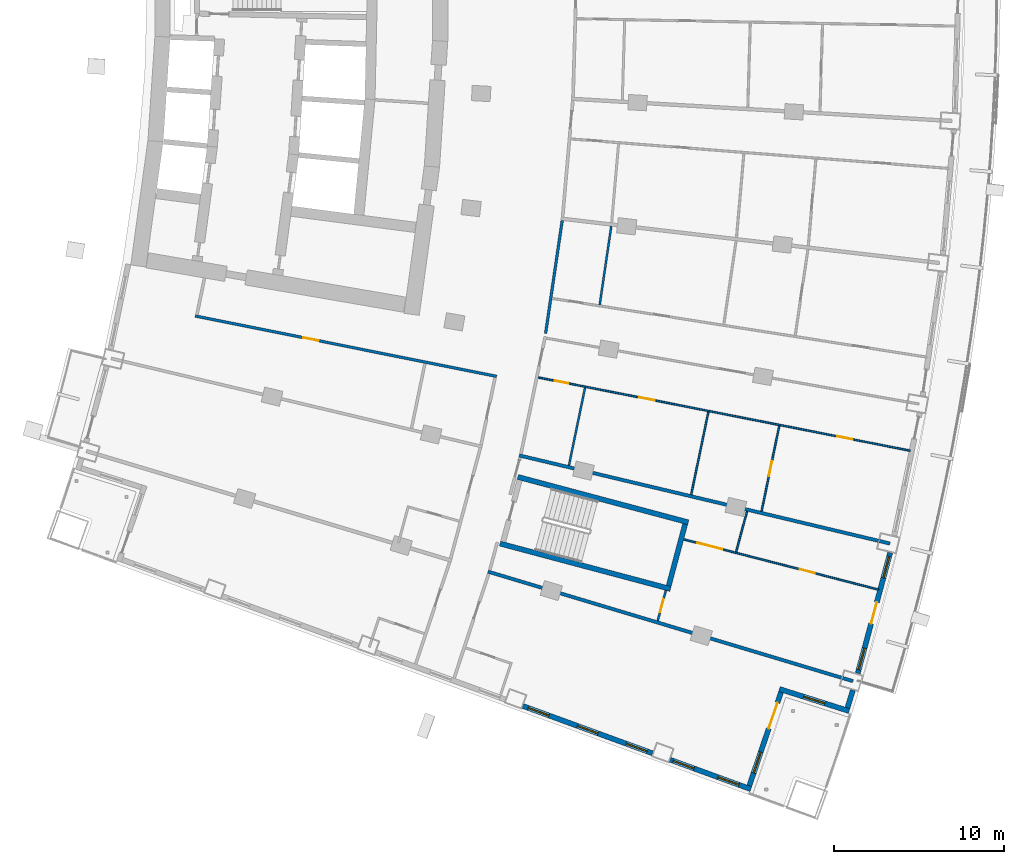
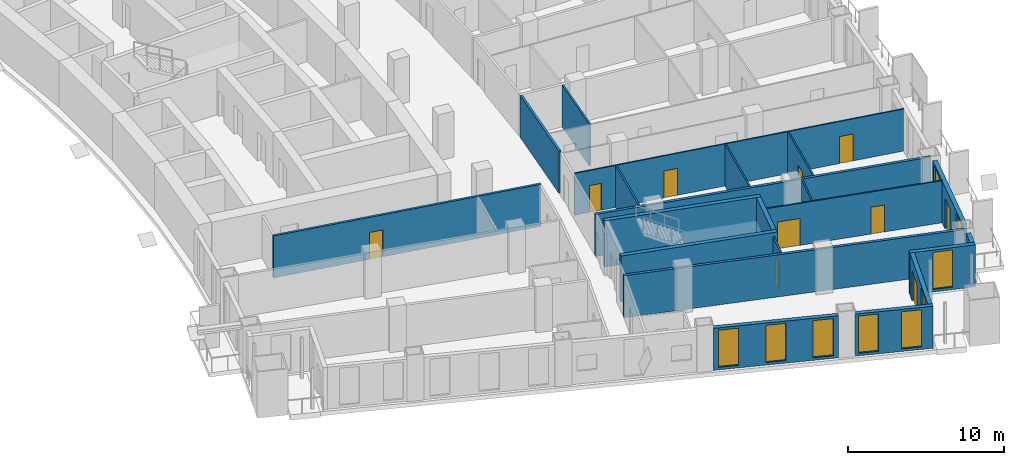
# One storey, part 14 of 24: 21 walls, 10 doors, 9 windows, 19 openings.
"""IFC4 building model written with IfcOpenShell, lengths in metres."""

from ifc_helpers import new_model, si_unit, direction, frame, frame_2d, origin, place, context, subcontext, project, spatial, rectangle, extrude, material, layer, layer_set, type_object, element, fill, save


model = new_model("IFC4")

# Units and contexts
model_context = context("Model", 3, precision=1e-05, world=origin(), true_north=direction((0.0, 1.0)))
body_context = subcontext(model_context, "Body", "Model", "MODEL_VIEW")
ifc_project = project(units=[si_unit("LENGTHUNIT", "METRE"), si_unit("AREAUNIT", "SQUARE_METRE"), si_unit("VOLUMEUNIT", "CUBIC_METRE"), si_unit("PLANEANGLEUNIT", "RADIAN"), si_unit("MASSUNIT", "GRAM", prefix="KILO")], contexts=[model_context])

# Site, building, storey
site_placement = place(None, origin())
site = spatial("IfcSite", under=ifc_project, at=site_placement, CompositionType="ELEMENT")
building_placement = place(site_placement, origin())
building = spatial("IfcBuilding", under=site, at=building_placement, Name="Alderwake Tower", CompositionType="ELEMENT")
storey_placement = place(building_placement, frame((0.0, 0.0, 39.199951171875)))
storey = spatial("IfcBuildingStorey", under=building, at=storey_placement, Name="L08", CompositionType="ELEMENT", Elevation=39.199951171875)

# Walls
ifc_material_1 = material(Name="Concrete C70/85", Category="concrete")
ifc_layer_1 = layer(ifc_material_1, 0.300048828125)
ifc_layer_set_1 = layer_set([ifc_layer_1], Name="Core wall stair enclosure 300 C70-85")
wall_type_1 = type_object("IfcWallType", Name="Core wall stair enclosure 300 C70-85", PredefinedType="SHEAR", material=ifc_layer_set_1)
for number, where, z_axis, x_axis, name in (
    (1, (37.75390625, 31.731201171875, 0.0), (0.0, 0.0, 1.0), (0.966309214305, -0.257383958996, 0.0), "Core wall CW.086"),
    (2, (36.71142578125, 27.817626953125, 0.0), (0.0, 0.0, 1.0), (0.966309214305, -0.257383958996, 0.0), "Core wall CW.088"),
):
    element("IfcWall", number, at=place(storey_placement, frame(where, z_axis=z_axis, x_axis=x_axis)), inside=storey, type_object=wall_type_1, Name=name, PredefinedType="SHEAR", context=body_context, shape_type="SweptSolid", body=[
        extrude(rectangle(XDim=10.360107421875, YDim=0.300048828125, at=frame_2d((5.18017578125, 0.0))), origin(), (0.0, 0.0, 1.0), 3.60009765625),
    ])
wall_1_placement = place(storey_placement, frame((46.6162109375, 25.334716796875, 0.0), z_axis=(0.0, 0.0, 1.0), x_axis=(0.257366821694, 0.966313778796, 0.0)))
element("IfcWall", 3, at=wall_1_placement, inside=storey, type_object=wall_type_1, Name="Core wall CW.085", PredefinedType="SHEAR", context=body_context, shape_type="SweptSolid", body=[
    extrude(rectangle(XDim=3.749755859375, YDim=0.300048828125, at=frame_2d((1.875, 0.0))), origin(), (0.0, 0.0, 1.0), 3.60009765625),
])

# Wall, opening, door
ifc_material_2 = material(Name="Gypsum board on metal studs, rated")
ifc_layer_2 = layer(ifc_material_2, 0.159912109375)
ifc_layer_set_2 = layer_set([ifc_layer_2], Name="Corridor wall 160")
wall_type_2 = type_object("IfcWallType", Name="Corridor wall 160", PredefinedType="PARTITIONING", material=ifc_layer_set_2)
wall_2_placement = place(storey_placement, frame((36.513427734375, 37.63427734375, 0.0), z_axis=(0.0, 0.0, 1.0), x_axis=(-0.980470254867, 0.1966674333, 0.0)))
wall_2 = element("IfcWall", 4, at=wall_2_placement, inside=storey, type_object=wall_type_2, Name="WL/L08/W17", PredefinedType="PARTITIONING", context=body_context, shape_type="SweptSolid", body=[
    extrude(rectangle(XDim=18.053466796875, YDim=0.159912109375, at=frame_2d((9.02685546875, 0.0))), origin(), (0.0, 0.0, 1.0), 3.280029296875),
])
opening_1_placement = place(wall_2_placement, frame((10.6767578125, 0.0, 0.0)))
opening_1 = element("IfcOpeningElement", 5, at=opening_1_placement, cuts=wall_2, Name="Opening R01-SBS1", PredefinedType="OPENING", context=body_context, shape_type="SweptSolid", body=[
    extrude(rectangle(XDim=0.89990234375, YDim=2.10009765625, at=frame_2d((0.449951171875, 1.050048828125))), frame((0.0, 0.08984375, 0.0), z_axis=(0.0, -1.0, 0.0), x_axis=(1.0, 0.0, 0.0)), (0.0, 0.0, 1.0), 0.179931640625),
])
ifc_material_3 = material(Name="Painted timber leaf", Category="wood")
door_type_1 = type_object("IfcDoorType", Name="Room door 900", OperationType="SINGLE_SWING_LEFT", PredefinedType="DOOR", material=ifc_material_3)
door_1_placement = place(opening_1_placement, origin())
door_1 = element("IfcDoor", 6, at=door_1_placement, inside=storey, type_object=door_type_1, Name="DR/L08/SBS1", OperationType="SINGLE_SWING_LEFT", OverallHeight=2.10009765625, OverallWidth=0.89990234375, PredefinedType="DOOR", context=body_context, shape_type="SweptSolid", body=[
    extrude(rectangle(XDim=0.89990234375, YDim=2.10009765625, at=frame_2d((0.449951171875, 1.050048828125))), frame((0.0, 0.02490234375, 0.0), z_axis=(0.0, -1.0, 0.0), x_axis=(1.0, 0.0, 0.0)), (0.0, 0.0, 1.0), 0.050048828125),
])
fill(opening_1, door_1)

# Walls
wall_3_placement = place(storey_placement, frame((39.38671875, 40.160888671875, 0.0), z_axis=(0.0, 0.0, 1.0), x_axis=(0.145513909196, 0.989356205939, 0.0)))
element("IfcWall", 7, at=wall_3_placement, inside=storey, type_object=wall_type_2, Name="WL/L08/W36", PredefinedType="PARTITIONING", context=body_context, shape_type="SweptSolid", body=[
    extrude(rectangle(XDim=6.704345703125, YDim=0.159912109375, at=frame_2d((3.35205078125, 0.0))), origin(), (0.0, 0.0, 1.0), 3.280029296875),
])
ifc_material_4 = material(Name="Precast concrete C50/60 spandrel panel", Category="concrete")
ifc_layer_3 = layer(ifc_material_4, 0.300048828125)
ifc_layer_set_3 = layer_set([ifc_layer_3], Name="External wall EW1 Precast concrete C50/60 spandrel")
wall_type_3 = type_object("IfcWallType", Name="External wall EW1 Precast concrete C50/60 spandrel", PredefinedType="SOLIDWALL", material=ifc_layer_set_3)
wall_4_placement = place(storey_placement, frame((57.11328125, 18.16943359375, 0.0), z_axis=(0.0, 0.0, 1.0), x_axis=(0.294684640149, 0.955594559874, 0.0)))
element("IfcWall", 8, at=wall_4_placement, inside=storey, type_object=wall_type_3, Name="External wall 11", PredefinedType="SOLIDWALL", context=body_context, shape_type="SweptSolid", body=[
    extrude(rectangle(XDim=1.088623046875, YDim=0.300048828125, at=frame_2d((0.54443359375, 0.0))), origin(), (0.0, 0.0, 1.0), 3.280029296875),
])

# Wall, openings, door, windows
wall_5_placement = place(storey_placement, frame((57.71923828125, 20.2001953125, 0.0), z_axis=(0.0, 0.0, 1.0), x_axis=(0.259490825488, 0.965745572854, 0.0)))
wall_5 = element("IfcWall", 9, at=wall_5_placement, inside=storey, type_object=wall_type_3, Name="External wall 12", PredefinedType="SOLIDWALL", context=body_context, shape_type="SweptSolid", body=[
    extrude(rectangle(XDim=7.3291015625, YDim=0.300048828125, at=frame_2d((3.66455078125, 0.0))), origin(), (0.0, 0.0, 1.0), 3.280029296875),
])
opening_2_placement = place(wall_5_placement, frame((0.226806640625, 0.0, 0.199951171875)))
opening_2 = element("IfcOpeningElement", 10, at=opening_2_placement, cuts=wall_5, Name="Opening W1", PredefinedType="OPENING", context=body_context, shape_type="SweptSolid", body=[
    extrude(rectangle(XDim=1.300048828125, YDim=2.89990234375, at=frame_2d((0.64990234375, 1.449951171875))), frame((0.0, 0.159912109375, 0.0), z_axis=(0.0, -1.0, 0.0), x_axis=(1.0, 0.0, 0.0)), (0.0, 0.0, 1.0), 0.320068359375),
])
opening_3_placement = place(wall_5_placement, frame((3.0146484375, 0.0, 0.0)))
opening_3 = element("IfcOpeningElement", 11, at=opening_3_placement, cuts=wall_5, Name="Opening D03", PredefinedType="OPENING", context=body_context, shape_type="SweptSolid", body=[
    extrude(rectangle(XDim=1.300048828125, YDim=2.39990234375, at=frame_2d((0.64990234375, 1.199951171875))), frame((0.0, 0.159912109375, 0.0), z_axis=(0.0, -1.0, 0.0), x_axis=(1.0, 0.0, 0.0)), (0.0, 0.0, 1.0), 0.320068359375),
])
opening_4_placement = place(wall_5_placement, frame((5.802490234375, 0.0, 0.199951171875)))
opening_4 = element("IfcOpeningElement", 12, at=opening_4_placement, cuts=wall_5, Name="Opening W1", PredefinedType="OPENING", context=body_context, shape_type="SweptSolid", body=[
    extrude(rectangle(XDim=1.300048828125, YDim=2.89990234375, at=frame_2d((0.64990234375, 1.449951171875))), frame((0.0, 0.159912109375, 0.0), z_axis=(0.0, -1.0, 0.0), x_axis=(1.0, 0.0, 0.0)), (0.0, 0.0, 1.0), 0.320068359375),
])
ifc_material_5 = material(Name="Bronze tinted glass in aluminium frame", Category="aluminium")
door_type_2 = type_object("IfcDoorType", Name="Balcony door BD sliding", OperationType="SLIDING_TO_LEFT", PredefinedType="DOOR", material=ifc_material_5)
door_2_placement = place(opening_3_placement, origin())
door_2 = element("IfcDoor", 13, at=door_2_placement, inside=storey, type_object=door_type_2, Name="Door D03", OperationType="SLIDING_TO_LEFT", OverallHeight=2.39990234375, OverallWidth=1.300048828125, PredefinedType="DOOR", context=body_context, shape_type="SweptSolid", body=[
    extrude(rectangle(XDim=1.300048828125, YDim=2.39990234375, at=frame_2d((0.64990234375, 1.199951171875))), frame((0.0, 0.02490234375, 0.0), z_axis=(0.0, -1.0, 0.0), x_axis=(1.0, 0.0, 0.0)), (0.0, 0.0, 1.0), 0.050048828125),
])
fill(opening_3, door_2)
ifc_material_6 = material(Name="Bronze tinted glass in aluminium frame", Category="aluminium")
window_type = type_object("IfcWindowType", Name="Window W1 tall fixed and vent", PartitioningType="DOUBLE_PANEL_VERTICAL", PredefinedType="WINDOW", material=ifc_material_6)
window_1_placement = place(opening_2_placement, origin())
window_1 = element("IfcWindow", 14, at=window_1_placement, inside=storey, type_object=window_type, Name="Window W1 tall fixed and vent", OverallHeight=2.89990234375, OverallWidth=1.300048828125, PartitioningType="DOUBLE_PANEL_VERTICAL", PredefinedType="WINDOW", context=body_context, shape_type="SweptSolid", body=[
    extrude(rectangle(XDim=1.300048828125, YDim=2.89990234375, at=frame_2d((0.64990234375, 1.449951171875))), frame((0.0, 0.030029296875, 0.0), z_axis=(0.0, -1.0, 0.0), x_axis=(1.0, 0.0, 0.0)), (0.0, 0.0, 1.0), 0.06005859375),
])
fill(opening_2, window_1)
window_2_placement = place(opening_4_placement, origin())
window_2 = element("IfcWindow", 15, at=window_2_placement, inside=storey, type_object=window_type, Name="Window W1 tall fixed and vent", OverallHeight=2.89990234375, OverallWidth=1.300048828125, PartitioningType="DOUBLE_PANEL_VERTICAL", PredefinedType="WINDOW", context=body_context, shape_type="SweptSolid", body=[
    extrude(rectangle(XDim=1.300048828125, YDim=2.89990234375, at=frame_2d((0.64990234375, 1.449951171875))), frame((0.0, 0.030029296875, 0.0), z_axis=(0.0, -1.0, 0.0), x_axis=(1.0, 0.0, 0.0)), (0.0, 0.0, 1.0), 0.06005859375),
])
fill(opening_4, window_2)

# Wall, openings, windows
ifc_material_7 = material(Name="Bronze metal cladding on lightweight framing")
ifc_layer_4 = layer(ifc_material_7, 0.300048828125)
ifc_layer_set_4 = layer_set([ifc_layer_4], Name="External wall EW2 bronze metal cladding")
wall_type_4 = type_object("IfcWallType", Name="External wall EW2 bronze metal cladding", PredefinedType="SOLIDWALL", material=ifc_layer_set_4)
wall_6_placement = place(storey_placement, frame((38.058837890625, 18.277587890625, 0.0), z_axis=(0.0, 0.0, 1.0), x_axis=(0.939382451577, -0.342871126912, 0.0)))
wall_6 = element("IfcWall", 16, at=wall_6_placement, inside=storey, type_object=wall_type_4, Name="External wall 7", PredefinedType="SOLIDWALL", context=body_context, shape_type="SweptSolid", body=[
    extrude(rectangle(XDim=8.095947265625, YDim=0.300048828125, at=frame_2d((4.0478515625, 0.0))), origin(), (0.0, 0.0, 1.0), 3.280029296875),
])
opening_5_placement = place(wall_6_placement, frame((0.331298828125, 0.0, 0.199951171875)))
opening_5 = element("IfcOpeningElement", 17, at=opening_5_placement, cuts=wall_6, Name="Opening W1", PredefinedType="OPENING", context=body_context, shape_type="SweptSolid", body=[
    extrude(rectangle(XDim=1.300048828125, YDim=2.89990234375, at=frame_2d((0.64990234375, 1.449951171875))), frame((0.0, 0.159912109375, 0.0), z_axis=(0.0, -1.0, 0.0), x_axis=(1.0, 0.0, 0.0)), (0.0, 0.0, 1.0), 0.320068359375),
])
opening_6_placement = place(wall_6_placement, frame((3.39794921875, 0.0, 0.199951171875)))
opening_6 = element("IfcOpeningElement", 18, at=opening_6_placement, cuts=wall_6, Name="Opening W1", PredefinedType="OPENING", context=body_context, shape_type="SweptSolid", body=[
    extrude(rectangle(XDim=1.300048828125, YDim=2.89990234375, at=frame_2d((0.64990234375, 1.449951171875))), frame((0.0, 0.159912109375, 0.0), z_axis=(0.0, -1.0, 0.0), x_axis=(1.0, 0.0, 0.0)), (0.0, 0.0, 1.0), 0.320068359375),
])
opening_7_placement = place(wall_6_placement, frame((6.464599609375, 0.0, 0.199951171875)))
opening_7 = element("IfcOpeningElement", 19, at=opening_7_placement, cuts=wall_6, Name="Opening W1", PredefinedType="OPENING", context=body_context, shape_type="SweptSolid", body=[
    extrude(rectangle(XDim=1.300048828125, YDim=2.89990234375, at=frame_2d((0.64990234375, 1.449951171875))), frame((0.0, 0.159912109375, 0.0), z_axis=(0.0, -1.0, 0.0), x_axis=(1.0, 0.0, 0.0)), (0.0, 0.0, 1.0), 0.320068359375),
])
window_3_placement = place(opening_5_placement, origin())
window_3 = element("IfcWindow", 20, at=window_3_placement, inside=storey, type_object=window_type, Name="Window W1 tall fixed and vent", OverallHeight=2.89990234375, OverallWidth=1.300048828125, PartitioningType="DOUBLE_PANEL_VERTICAL", PredefinedType="WINDOW", context=body_context, shape_type="SweptSolid", body=[
    extrude(rectangle(XDim=1.300048828125, YDim=2.89990234375, at=frame_2d((0.64990234375, 1.449951171875))), frame((0.0, 0.030029296875, 0.0), z_axis=(0.0, -1.0, 0.0), x_axis=(1.0, 0.0, 0.0)), (0.0, 0.0, 1.0), 0.06005859375),
])
fill(opening_5, window_3)
window_4_placement = place(opening_6_placement, origin())
window_4 = element("IfcWindow", 21, at=window_4_placement, inside=storey, type_object=window_type, Name="Window W1 tall fixed and vent", OverallHeight=2.89990234375, OverallWidth=1.300048828125, PartitioningType="DOUBLE_PANEL_VERTICAL", PredefinedType="WINDOW", context=body_context, shape_type="SweptSolid", body=[
    extrude(rectangle(XDim=1.300048828125, YDim=2.89990234375, at=frame_2d((0.64990234375, 1.449951171875))), frame((0.0, 0.030029296875, 0.0), z_axis=(0.0, -1.0, 0.0), x_axis=(1.0, 0.0, 0.0)), (0.0, 0.0, 1.0), 0.06005859375),
])
fill(opening_6, window_4)
window_5_placement = place(opening_7_placement, origin())
window_5 = element("IfcWindow", 22, at=window_5_placement, inside=storey, type_object=window_type, Name="Window W1 tall fixed and vent", OverallHeight=2.89990234375, OverallWidth=1.300048828125, PartitioningType="DOUBLE_PANEL_VERTICAL", PredefinedType="WINDOW", context=body_context, shape_type="SweptSolid", body=[
    extrude(rectangle(XDim=1.300048828125, YDim=2.89990234375, at=frame_2d((0.64990234375, 1.449951171875))), frame((0.0, 0.030029296875, 0.0), z_axis=(0.0, -1.0, 0.0), x_axis=(1.0, 0.0, 0.0)), (0.0, 0.0, 1.0), 0.06005859375),
])
fill(opening_7, window_5)

wall_7_placement = place(storey_placement, frame((46.701171875, 15.123046875, 0.0), z_axis=(0.0, 0.0, 1.0), x_axis=(0.939373152763, -0.342896602299, 0.0)))
wall_7 = element("IfcWall", 23, at=wall_7_placement, inside=storey, type_object=wall_type_4, Name="External wall 8", PredefinedType="SOLIDWALL", context=body_context, shape_type="SweptSolid", body=[
    extrude(rectangle(XDim=5.0458984375, YDim=0.300048828125, at=frame_2d((2.52294921875, 0.0))), origin(), (0.0, 0.0, 1.0), 3.280029296875),
])
opening_8_placement = place(wall_7_placement, frame((0.197509765625, 0.0, 0.199951171875)))
opening_8 = element("IfcOpeningElement", 24, at=opening_8_placement, cuts=wall_7, Name="Opening W1", PredefinedType="OPENING", context=body_context, shape_type="SweptSolid", body=[
    extrude(rectangle(XDim=1.300048828125, YDim=2.89990234375, at=frame_2d((0.64990234375, 1.449951171875))), frame((0.0, 0.159912109375, 0.0), z_axis=(0.0, -1.0, 0.0), x_axis=(1.0, 0.0, 0.0)), (0.0, 0.0, 1.0), 0.320068359375),
])
opening_9_placement = place(wall_7_placement, frame((2.99658203125, 0.0, 0.199951171875)))
opening_9 = element("IfcOpeningElement", 25, at=opening_9_placement, cuts=wall_7, Name="Opening W1", PredefinedType="OPENING", context=body_context, shape_type="SweptSolid", body=[
    extrude(rectangle(XDim=1.300048828125, YDim=2.89990234375, at=frame_2d((0.64990234375, 1.449951171875))), frame((0.0, 0.159912109375, 0.0), z_axis=(0.0, -1.0, 0.0), x_axis=(1.0, 0.0, 0.0)), (0.0, 0.0, 1.0), 0.320068359375),
])
window_6_placement = place(opening_8_placement, origin())
window_6 = element("IfcWindow", 26, at=window_6_placement, inside=storey, type_object=window_type, Name="Window W1 tall fixed and vent", OverallHeight=2.89990234375, OverallWidth=1.300048828125, PartitioningType="DOUBLE_PANEL_VERTICAL", PredefinedType="WINDOW", context=body_context, shape_type="SweptSolid", body=[
    extrude(rectangle(XDim=1.300048828125, YDim=2.89990234375, at=frame_2d((0.64990234375, 1.449951171875))), frame((0.0, 0.030029296875, 0.0), z_axis=(0.0, -1.0, 0.0), x_axis=(1.0, 0.0, 0.0)), (0.0, 0.0, 1.0), 0.06005859375),
])
fill(opening_8, window_6)
window_7_placement = place(opening_9_placement, origin())
window_7 = element("IfcWindow", 27, at=window_7_placement, inside=storey, type_object=window_type, Name="Window W1 tall fixed and vent", OverallHeight=2.89990234375, OverallWidth=1.300048828125, PartitioningType="DOUBLE_PANEL_VERTICAL", PredefinedType="WINDOW", context=body_context, shape_type="SweptSolid", body=[
    extrude(rectangle(XDim=1.300048828125, YDim=2.89990234375, at=frame_2d((0.64990234375, 1.449951171875))), frame((0.0, 0.030029296875, 0.0), z_axis=(0.0, -1.0, 0.0), x_axis=(1.0, 0.0, 0.0)), (0.0, 0.0, 1.0), 0.06005859375),
])
fill(opening_9, window_7)

# Wall, openings, door, window
wall_8_placement = place(storey_placement, frame((51.348388671875, 13.586181640625, 0.0), z_axis=(0.0, 0.0, 1.0), x_axis=(0.320901281383, 0.947112647791, 0.0)))
wall_8 = element("IfcWall", 28, at=wall_8_placement, inside=storey, type_object=wall_type_4, Name="External wall 9", PredefinedType="SOLIDWALL", context=body_context, shape_type="SweptSolid", body=[
    extrude(rectangle(XDim=5.809326171875, YDim=0.300048828125, at=frame_2d((2.90478515625, 0.0))), origin(), (0.0, 0.0, 1.0), 3.280029296875),
])
opening_10_placement = place(wall_8_placement, frame((0.80224609375, 0.0, 0.199951171875)))
opening_10 = element("IfcOpeningElement", 29, at=opening_10_placement, cuts=wall_8, Name="Opening W1", PredefinedType="OPENING", context=body_context, shape_type="SweptSolid", body=[
    extrude(rectangle(XDim=1.300048828125, YDim=2.89990234375, at=frame_2d((0.64990234375, 1.449951171875))), frame((0.0, 0.159912109375, 0.0), z_axis=(0.0, -1.0, 0.0), x_axis=(1.0, 0.0, 0.0)), (0.0, 0.0, 1.0), 0.320068359375),
])
opening_11_placement = place(wall_8_placement, frame((3.556884765625, 0.0, 0.0)))
opening_11 = element("IfcOpeningElement", 30, at=opening_11_placement, cuts=wall_8, Name="Opening D02", PredefinedType="OPENING", context=body_context, shape_type="SweptSolid", body=[
    extrude(rectangle(XDim=1.60009765625, YDim=2.39990234375, at=frame_2d((0.800048828125, 1.199951171875))), frame((0.0, 0.159912109375, 0.0), z_axis=(0.0, -1.0, 0.0), x_axis=(1.0, 0.0, 0.0)), (0.0, 0.0, 1.0), 0.320068359375),
])
ifc_material_8 = material(Name="Bronze tinted glass in aluminium frame", Category="aluminium")
door_type_3 = type_object("IfcDoorType", Name="Terrace door TD sliding", OperationType="SLIDING_TO_LEFT", PredefinedType="DOOR", material=ifc_material_8)
door_3_placement = place(opening_11_placement, origin())
door_3 = element("IfcDoor", 31, at=door_3_placement, inside=storey, type_object=door_type_3, Name="Door D02", OperationType="SLIDING_TO_LEFT", OverallHeight=2.39990234375, OverallWidth=1.60009765625, PredefinedType="DOOR", context=body_context, shape_type="SweptSolid", body=[
    extrude(rectangle(XDim=1.60009765625, YDim=2.39990234375, at=frame_2d((0.800048828125, 1.199951171875))), frame((0.0, 0.02490234375, 0.0), z_axis=(0.0, -1.0, 0.0), x_axis=(1.0, 0.0, 0.0)), (0.0, 0.0, 1.0), 0.050048828125),
])
fill(opening_11, door_3)
window_8_placement = place(opening_10_placement, origin())
window_8 = element("IfcWindow", 32, at=window_8_placement, inside=storey, type_object=window_type, Name="Window W1 tall fixed and vent", OverallHeight=2.89990234375, OverallWidth=1.300048828125, PartitioningType="DOUBLE_PANEL_VERTICAL", PredefinedType="WINDOW", context=body_context, shape_type="SweptSolid", body=[
    extrude(rectangle(XDim=1.300048828125, YDim=2.89990234375, at=frame_2d((0.64990234375, 1.449951171875))), frame((0.0, 0.030029296875, 0.0), z_axis=(0.0, -1.0, 0.0), x_axis=(1.0, 0.0, 0.0)), (0.0, 0.0, 1.0), 0.06005859375),
])
fill(opening_10, window_8)

# Wall, opening, window
wall_9_placement = place(storey_placement, frame((53.11767578125, 19.275634765625, 0.0), z_axis=(0.0, 0.0, 1.0), x_axis=(0.953470039543, -0.301487783656, 0.0)))
wall_9 = element("IfcWall", 33, at=wall_9_placement, inside=storey, type_object=wall_type_4, Name="External wall 10", PredefinedType="SOLIDWALL", context=body_context, shape_type="SweptSolid", body=[
    extrude(rectangle(XDim=4.294189453125, YDim=0.300048828125, at=frame_2d((2.14697265625, 0.0))), origin(), (0.0, 0.0, 1.0), 3.280029296875),
])
opening_12_placement = place(wall_9_placement, frame((1.4970703125, 0.0, 0.199951171875)))
opening_12 = element("IfcOpeningElement", 34, at=opening_12_placement, cuts=wall_9, Name="Opening W1", PredefinedType="OPENING", context=body_context, shape_type="SweptSolid", body=[
    extrude(rectangle(XDim=1.300048828125, YDim=2.89990234375, at=frame_2d((0.64990234375, 1.449951171875))), frame((0.0, 0.159912109375, 0.0), z_axis=(0.0, -1.0, 0.0), x_axis=(1.0, 0.0, 0.0)), (0.0, 0.0, 1.0), 0.320068359375),
])
window_9_placement = place(opening_12_placement, origin())
window_9 = element("IfcWindow", 35, at=window_9_placement, inside=storey, type_object=window_type, Name="Window W1 tall fixed and vent", OverallHeight=2.89990234375, OverallWidth=1.300048828125, PartitioningType="DOUBLE_PANEL_VERTICAL", PredefinedType="WINDOW", context=body_context, shape_type="SweptSolid", body=[
    extrude(rectangle(XDim=1.300048828125, YDim=2.89990234375, at=frame_2d((0.64990234375, 1.449951171875))), frame((0.0, 0.030029296875, 0.0), z_axis=(0.0, -1.0, 0.0), x_axis=(1.0, 0.0, 0.0)), (0.0, 0.0, 1.0), 0.06005859375),
])
fill(opening_12, window_9)

# Walls
ifc_material_9 = material(Name="Dense block masonry wall", Category="masonry")
ifc_layer_5 = layer(ifc_material_9, 0.199951171875)
ifc_layer_set_5 = layer_set([ifc_layer_5], Name="Party wall 200")
wall_type_5 = type_object("IfcWallType", Name="Party wall 200", PredefinedType="SOLIDWALL", material=ifc_layer_set_5)
wall_10_placement = place(storey_placement, frame((36.00439453125, 26.1708984375, 0.0), z_axis=(0.0, 0.0, 1.0), x_axis=(0.957780031915, -0.287502018191, 0.0)))
element("IfcWall", 36, at=wall_10_placement, inside=storey, type_object=wall_type_5, Name="WL/L08/W05", PredefinedType="SOLIDWALL", context=body_context, shape_type="SweptSolid", body=[
    extrude(rectangle(XDim=22.37841796875, YDim=0.199951171875, at=frame_2d((11.189208984375, 0.0))), origin(), (0.0, 0.0, 1.0), 3.280029296875),
])
wall_11_placement = place(storey_placement, frame((37.839111328125, 32.994384765625, 0.0), z_axis=(0.0, 0.0, 1.0), x_axis=(0.972889498583, -0.231270455413, 0.0)))
element("IfcWall", 37, at=wall_11_placement, inside=storey, type_object=wall_type_5, Name="WL/L08/W06", PredefinedType="SOLIDWALL", context=body_context, shape_type="SweptSolid", body=[
    extrude(rectangle(XDim=22.377685546875, YDim=0.199951171875, at=frame_2d((11.18896484375, 0.0))), origin(), (0.0, 0.0, 1.0), 3.280029296875),
])

# Wall, openings, doors
ifc_material_10 = material(Name="Gypsum board on metal studs")
ifc_layer_6 = layer(ifc_material_10, 0.10009765625)
ifc_layer_set_6 = layer_set([ifc_layer_6], Name="Unit partition 100")
wall_type_6 = type_object("IfcWallType", Name="Unit partition 100", PredefinedType="PARTITIONING", material=ifc_layer_set_6)
wall_12_placement = place(storey_placement, frame((60.7919921875, 33.27294921875, 0.0), z_axis=(0.0, 0.0, 1.0), x_axis=(-0.981155109333, 0.193221767482, 0.0)))
wall_12 = element("IfcWall", 38, at=wall_12_placement, inside=storey, type_object=wall_type_6, Name="WL/L08/W66", PredefinedType="PARTITIONING", context=body_context, shape_type="SweptSolid", body=[
    extrude(rectangle(XDim=22.261962890625, YDim=0.10009765625, at=frame_2d((11.130859375, 0.0))), origin(), (0.0, 0.0, 1.0), 3.280029296875),
])
opening_13_placement = place(wall_12_placement, frame((15.302978515625, 0.0, 0.0)))
opening_13 = element("IfcOpeningElement", 39, at=opening_13_placement, cuts=wall_12, Name="Opening R01-U05.1", PredefinedType="OPENING", context=body_context, shape_type="SweptSolid", body=[
    extrude(rectangle(XDim=0.89990234375, YDim=2.10009765625, at=frame_2d((0.449951171875, 1.050048828125))), frame((0.0, 0.06005859375, 0.0), z_axis=(0.0, -1.0, 0.0), x_axis=(1.0, 0.0, 0.0)), (0.0, 0.0, 1.0), 0.1201171875),
])
opening_14_placement = place(wall_12_placement, frame((20.45263671875, 0.0, 0.0)))
opening_14 = element("IfcOpeningElement", 40, at=opening_14_placement, cuts=wall_12, Name="Opening R01-U05.4", PredefinedType="OPENING", context=body_context, shape_type="SweptSolid", body=[
    extrude(rectangle(XDim=0.800048828125, YDim=2.10009765625, at=frame_2d((0.39990234375, 1.050048828125))), frame((0.0, 0.06005859375, 0.0), z_axis=(0.0, -1.0, 0.0), x_axis=(1.0, 0.0, 0.0)), (0.0, 0.0, 1.0), 0.1201171875),
])
opening_15_placement = place(wall_12_placement, frame((3.459716796875, 0.0, 0.0)))
opening_15 = element("IfcOpeningElement", 41, at=opening_15_placement, cuts=wall_12, Name="Opening R01-U05.5", PredefinedType="OPENING", context=body_context, shape_type="SweptSolid", body=[
    extrude(rectangle(XDim=0.89990234375, YDim=2.10009765625, at=frame_2d((0.449951171875, 1.050048828125))), frame((0.0, 0.06005859375, 0.0), z_axis=(0.0, -1.0, 0.0), x_axis=(1.0, 0.0, 0.0)), (0.0, 0.0, 1.0), 0.1201171875),
])
ifc_material_11 = material(Name="Painted timber leaf", Category="wood")
door_type_4 = type_object("IfcDoorType", Name="Bathroom door 800", OperationType="SINGLE_SWING_LEFT", PredefinedType="DOOR", material=ifc_material_11)
door_4_placement = place(opening_14_placement, origin())
door_4 = element("IfcDoor", 42, at=door_4_placement, inside=storey, type_object=door_type_4, Name="DR/L08/U05.4", OperationType="SINGLE_SWING_LEFT", OverallHeight=2.10009765625, OverallWidth=0.800048828125, PredefinedType="DOOR", context=body_context, shape_type="SweptSolid", body=[
    extrude(rectangle(XDim=0.800048828125, YDim=2.10009765625, at=frame_2d((0.39990234375, 1.050048828125))), frame((0.0, 0.02490234375, 0.0), z_axis=(0.0, -1.0, 0.0), x_axis=(1.0, 0.0, 0.0)), (0.0, 0.0, 1.0), 0.050048828125),
])
fill(opening_14, door_4)
door_5_placement = place(opening_13_placement, origin())
door_5 = element("IfcDoor", 43, at=door_5_placement, inside=storey, type_object=door_type_1, Name="DR/L08/U05.1", OperationType="SINGLE_SWING_LEFT", OverallHeight=2.10009765625, OverallWidth=0.89990234375, PredefinedType="DOOR", context=body_context, shape_type="SweptSolid", body=[
    extrude(rectangle(XDim=0.89990234375, YDim=2.10009765625, at=frame_2d((0.449951171875, 1.050048828125))), frame((0.0, 0.02490234375, 0.0), z_axis=(0.0, -1.0, 0.0), x_axis=(1.0, 0.0, 0.0)), (0.0, 0.0, 1.0), 0.050048828125),
])
fill(opening_13, door_5)
door_6_placement = place(opening_15_placement, origin())
door_6 = element("IfcDoor", 44, at=door_6_placement, inside=storey, type_object=door_type_1, Name="DR/L08/U05.5", OperationType="SINGLE_SWING_LEFT", OverallHeight=2.10009765625, OverallWidth=0.89990234375, PredefinedType="DOOR", context=body_context, shape_type="SweptSolid", body=[
    extrude(rectangle(XDim=0.89990234375, YDim=2.10009765625, at=frame_2d((0.449951171875, 1.050048828125))), frame((0.0, 0.02490234375, 0.0), z_axis=(0.0, -1.0, 0.0), x_axis=(1.0, 0.0, 0.0)), (0.0, 0.0, 1.0), 0.050048828125),
])
fill(opening_15, door_6)

wall_13_placement = place(storey_placement, frame((58.93798828125, 25.113037109375, 0.0), z_axis=(0.0, 0.0, 1.0), x_axis=(-0.968214069453, 0.250123001167, 0.0)))
wall_13 = element("IfcWall", 45, at=wall_13_placement, inside=storey, type_object=wall_type_6, Name="WL/L08/W74", PredefinedType="PARTITIONING", context=body_context, shape_type="SweptSolid", body=[
    extrude(rectangle(XDim=11.814453125, YDim=0.10009765625, at=frame_2d((5.9072265625, 0.0))), origin(), (0.0, 0.0, 1.0), 3.280029296875),
])
opening_16_placement = place(wall_13_placement, frame((9.482421875, 0.0, 0.0)))
opening_16 = element("IfcOpeningElement", 46, at=opening_16_placement, cuts=wall_13, Name="Opening R01-U01.2", PredefinedType="OPENING", context=body_context, shape_type="SweptSolid", body=[
    extrude(rectangle(XDim=1.5, YDim=2.10009765625, at=frame_2d((0.75, 1.050048828125))), frame((0.0, 0.06005859375, 0.0), z_axis=(0.0, -1.0, 0.0), x_axis=(1.0, 0.0, 0.0)), (0.0, 0.0, 1.0), 0.1201171875),
])
opening_17_placement = place(wall_13_placement, frame((3.876220703125, 0.0, 0.0)))
opening_17 = element("IfcOpeningElement", 47, at=opening_17_placement, cuts=wall_13, Name="Opening R01-U01.3", PredefinedType="OPENING", context=body_context, shape_type="SweptSolid", body=[
    extrude(rectangle(XDim=0.89990234375, YDim=2.10009765625, at=frame_2d((0.449951171875, 1.050048828125))), frame((0.0, 0.06005859375, 0.0), z_axis=(0.0, -1.0, 0.0), x_axis=(1.0, 0.0, 0.0)), (0.0, 0.0, 1.0), 0.1201171875),
])
ifc_material_12 = material(Name="Painted timber leaves", Category="wood")
door_type_5 = type_object("IfcDoorType", Name="Double leaf door 1500", OperationType="DOUBLE_DOOR_SINGLE_SWING", PredefinedType="DOOR", material=ifc_material_12)
door_7_placement = place(opening_16_placement, origin())
door_7 = element("IfcDoor", 48, at=door_7_placement, inside=storey, type_object=door_type_5, Name="DR/L08/U01.2", OperationType="DOUBLE_DOOR_SINGLE_SWING", OverallHeight=2.10009765625, OverallWidth=1.5, PredefinedType="DOOR", context=body_context, shape_type="SweptSolid", body=[
    extrude(rectangle(XDim=1.5, YDim=2.10009765625, at=frame_2d((0.75, 1.050048828125))), frame((0.0, 0.02490234375, 0.0), z_axis=(0.0, -1.0, 0.0), x_axis=(1.0, 0.0, 0.0)), (0.0, 0.0, 1.0), 0.050048828125),
])
fill(opening_16, door_7)
door_8_placement = place(opening_17_placement, origin())
door_8 = element("IfcDoor", 49, at=door_8_placement, inside=storey, type_object=door_type_1, Name="DR/L08/U01.3", OperationType="SINGLE_SWING_LEFT", OverallHeight=2.10009765625, OverallWidth=0.89990234375, PredefinedType="DOOR", context=body_context, shape_type="SweptSolid", body=[
    extrude(rectangle(XDim=0.89990234375, YDim=2.10009765625, at=frame_2d((0.449951171875, 1.050048828125))), frame((0.0, 0.02490234375, 0.0), z_axis=(0.0, -1.0, 0.0), x_axis=(1.0, 0.0, 0.0)), (0.0, 0.0, 1.0), 0.050048828125),
])
fill(opening_17, door_8)

# Walls
wall_14_placement = place(storey_placement, frame((47.939208984375, 30.695068359375, 0.0), z_axis=(0.0, 0.0, 1.0), x_axis=(0.203007352499, 0.97917721319, 0.0)))
element("IfcWall", 50, at=wall_14_placement, inside=storey, type_object=wall_type_6, Name="WL/L08/W76", PredefinedType="PARTITIONING", context=body_context, shape_type="SweptSolid", body=[
    extrude(rectangle(XDim=4.963134765625, YDim=0.10009765625, at=frame_2d((2.4814453125, 0.0))), origin(), (0.0, 0.0, 1.0), 3.280029296875),
])
wall_15_placement = place(storey_placement, frame((50.574951171875, 27.32421875, 0.0), z_axis=(0.0, 0.0, 1.0), x_axis=(0.259739710308, 0.965678664406, 0.0)))
element("IfcWall", 51, at=wall_15_placement, inside=storey, type_object=wall_type_6, Name="WL/L08/W79", PredefinedType="PARTITIONING", context=body_context, shape_type="SweptSolid", body=[
    extrude(rectangle(XDim=2.47216796875, YDim=0.10009765625, at=frame_2d((1.236083984375, 0.0))), origin(), (0.0, 0.0, 1.0), 3.280029296875),
])

# Wall, opening, door
wall_16_placement = place(storey_placement, frame((52.0703125, 29.714111328125, 0.0), z_axis=(0.0, 0.0, 1.0), x_axis=(0.202885788295, 0.979202408549, 0.0)))
wall_16 = element("IfcWall", 52, at=wall_16_placement, inside=storey, type_object=wall_type_6, Name="WL/L08/W84", PredefinedType="PARTITIONING", context=body_context, shape_type="SweptSolid", body=[
    extrude(rectangle(XDim=5.128662109375, YDim=0.10009765625, at=frame_2d((2.564453125, 0.0))), origin(), (0.0, 0.0, 1.0), 3.280029296875),
])
opening_18_placement = place(wall_16_placement, frame((2.114501953125, 0.0, 0.0)))
opening_18 = element("IfcOpeningElement", 53, at=opening_18_placement, cuts=wall_16, Name="Opening R01-U05.2", PredefinedType="OPENING", context=body_context, shape_type="SweptSolid", body=[
    extrude(rectangle(XDim=0.89990234375, YDim=2.10009765625, at=frame_2d((0.449951171875, 1.050048828125))), frame((0.0, 0.06005859375, 0.0), z_axis=(0.0, -1.0, 0.0), x_axis=(1.0, 0.0, 0.0)), (0.0, 0.0, 1.0), 0.1201171875),
])
door_9_placement = place(opening_18_placement, origin())
door_9 = element("IfcDoor", 54, at=door_9_placement, inside=storey, type_object=door_type_1, Name="DR/L08/U05.2", OperationType="SINGLE_SWING_LEFT", OverallHeight=2.10009765625, OverallWidth=0.89990234375, PredefinedType="DOOR", context=body_context, shape_type="SweptSolid", body=[
    extrude(rectangle(XDim=0.89990234375, YDim=2.10009765625, at=frame_2d((0.449951171875, 1.050048828125))), frame((0.0, 0.02490234375, 0.0), z_axis=(0.0, -1.0, 0.0), x_axis=(1.0, 0.0, 0.0)), (0.0, 0.0, 1.0), 0.050048828125),
])
fill(opening_18, door_9)

# Walls
ifc_material_13 = material(Name="Moisture resistant gypsum board on metal studs")
ifc_layer_7 = layer(ifc_material_13, 0.1201171875)
ifc_layer_set_7 = layer_set([ifc_layer_7], Name="Wet room partition 120")
wall_type_7 = type_object("IfcWallType", Name="Wet room partition 120", PredefinedType="PARTITIONING", material=ifc_layer_set_7)
wall_17_placement = place(storey_placement, frame((40.75732421875, 32.402099609375, 0.0), z_axis=(0.0, 0.0, 1.0), x_axis=(0.202555554597, 0.97927077323, 0.0)))
element("IfcWall", 55, at=wall_17_placement, inside=storey, type_object=wall_type_7, Name="WL/L08/W56", PredefinedType="PARTITIONING", context=body_context, shape_type="SweptSolid", body=[
    extrude(rectangle(XDim=4.677734375, YDim=0.1201171875, at=frame_2d((2.3388671875, 0.0))), origin(), (0.0, 0.0, 1.0), 3.280029296875),
])
wall_18_placement = place(storey_placement, frame((42.562255859375, 41.83056640625, 0.0), z_axis=(0.0, 0.0, 1.0), x_axis=(0.145515042, 0.989356039326, 0.0)))
element("IfcWall", 56, at=wall_18_placement, inside=storey, type_object=wall_type_7, Name="WL/L08/W57", PredefinedType="PARTITIONING", context=body_context, shape_type="SweptSolid", body=[
    extrude(rectangle(XDim=4.67431640625, YDim=0.1201171875, at=frame_2d((2.337158203125, 0.0))), origin(), (0.0, 0.0, 1.0), 3.280029296875),
])

# Wall, opening, door
wall_19_placement = place(storey_placement, frame((45.970947265625, 23.28369140625, 0.0), z_axis=(0.0, 0.0, 1.0), x_axis=(0.258764710752, 0.965940383497, 0.0)))
wall_19 = element("IfcWall", 57, at=wall_19_placement, inside=storey, type_object=wall_type_7, Name="WL/L08/W64", PredefinedType="PARTITIONING", context=body_context, shape_type="SweptSolid", body=[
    extrude(rectangle(XDim=1.847412109375, YDim=0.1201171875, at=frame_2d((0.923828125, 0.0))), origin(), (0.0, 0.0, 1.0), 3.280029296875),
])
opening_19_placement = place(wall_19_placement, frame((0.523681640625, 0.0, 0.0)))
opening_19 = element("IfcOpeningElement", 58, at=opening_19_placement, cuts=wall_19, Name="Opening R01-U01.4", PredefinedType="OPENING", context=body_context, shape_type="SweptSolid", body=[
    extrude(rectangle(XDim=0.800048828125, YDim=2.10009765625, at=frame_2d((0.39990234375, 1.050048828125))), frame((0.0, 0.070068359375, 0.0), z_axis=(0.0, -1.0, 0.0), x_axis=(1.0, 0.0, 0.0)), (0.0, 0.0, 1.0), 0.14013671875),
])
door_10_placement = place(opening_19_placement, origin())
door_10 = element("IfcDoor", 59, at=door_10_placement, inside=storey, type_object=door_type_4, Name="DR/L08/U01.4", OperationType="SINGLE_SWING_LEFT", OverallHeight=2.10009765625, OverallWidth=0.800048828125, PredefinedType="DOOR", context=body_context, shape_type="SweptSolid", body=[
    extrude(rectangle(XDim=0.800048828125, YDim=2.10009765625, at=frame_2d((0.39990234375, 1.050048828125))), frame((0.0, 0.02490234375, 0.0), z_axis=(0.0, -1.0, 0.0), x_axis=(1.0, 0.0, 0.0)), (0.0, 0.0, 1.0), 0.050048828125),
])
fill(opening_19, door_10)

save(model, "model.ifc")
